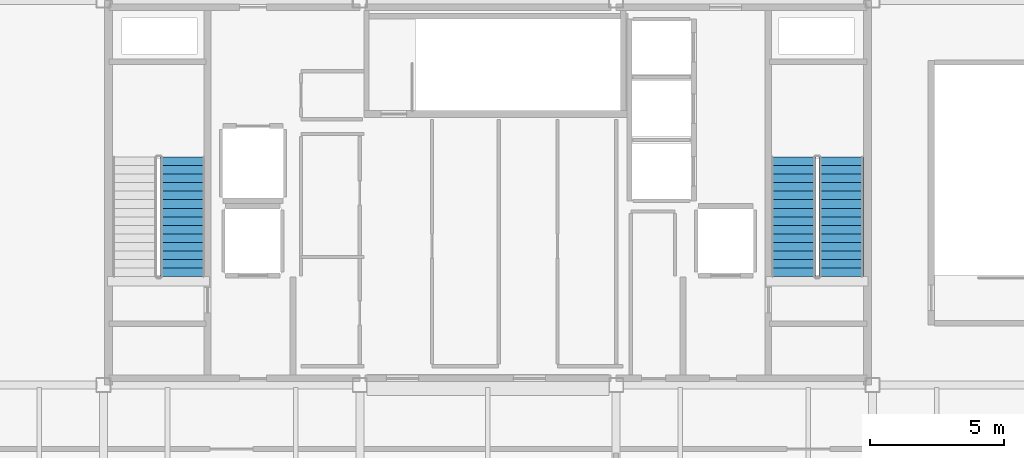
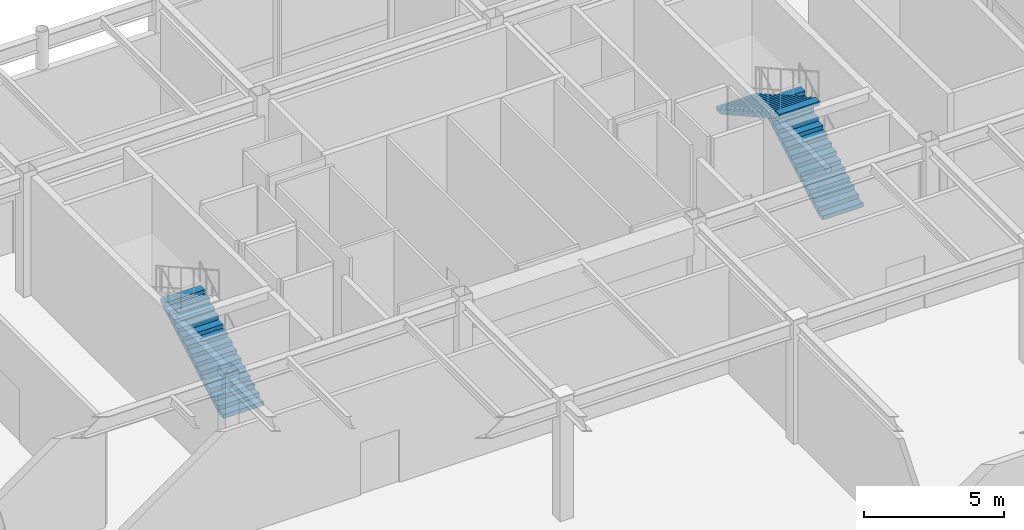
# One storey, part 19 of 21: 3 stair flights, 2 elements without a shape of their own.
"""IFC4 building model written with IfcOpenShell, lengths in metres."""

from ifc_helpers import new_model, si_unit, direction, frame, origin, place, context, subcontext, project, spatial, polyline, outline, extrude, material, type_object, element, aggregate, save


model = new_model("IFC4")

# Units and contexts
model_context = context("Model", 3, precision=1e-05, world=origin(), true_north=direction((0.0, 1.0)))
body_context = subcontext(model_context, "Body", "Model", "MODEL_VIEW")
ifc_project = project(units=[si_unit("LENGTHUNIT", "METRE"), si_unit("AREAUNIT", "SQUARE_METRE"), si_unit("VOLUMEUNIT", "CUBIC_METRE"), si_unit("PLANEANGLEUNIT", "RADIAN"), si_unit("MASSUNIT", "GRAM", prefix="KILO")], contexts=[model_context])

# Site, building, storey
site_placement = place(None, origin())
site = spatial("IfcSite", under=ifc_project, at=site_placement, CompositionType="ELEMENT")
building_placement = place(site_placement, origin())
building = spatial("IfcBuilding", under=site, at=building_placement, Name="Kallvorn Hotel Tower", CompositionType="ELEMENT")
storey_placement = place(building_placement, frame((0.0, 0.0, 300.60009765625)))
storey = spatial("IfcBuildingStorey", under=building, at=storey_placement, Name="L74", CompositionType="ELEMENT", Elevation=300.60009765625)

# Stair, stair flight
ifc_material_1 = material(Name="Precast concrete C40/50", Category="concrete")
stair_type = type_object("IfcStairType", Name="STR_CORE_DOGLEG", PredefinedType="HALF_TURN_STAIR", material=ifc_material_1)
stair_1_placement = place(storey_placement, origin())
stair_1 = element("IfcStair", 1, at=stair_1_placement, inside=storey, type_object=stair_type, Name="L74 Exit stair ST1", PredefinedType="HALF_TURN_STAIR")
ifc_material_2 = material(Name="Precast concrete C40/50", Category="concrete")
stair_flight_type = type_object("IfcStairFlightType", Name="FLT_CORE_1660", PredefinedType="STRAIGHT", material=ifc_material_2)
stair_flight_1_placement = place(storey_placement, frame((-11.429931640625, -3.139892578125, 0.0), z_axis=(0.0, 0.0, 1.0), x_axis=(0.0, 1.0, 0.0)))
stair_flight_1 = element("IfcStairFlight", 2, at=stair_flight_1_placement, type_object=stair_flight_type, Name="ST1 flight 1", NumberOfRisers=15, NumberOfTreads=14, PredefinedType="STRAIGHT", RiserHeight=0.18, TreadLength=0.32, context=body_context, shape_type="SweptSolid", body=[
    extrude(outline(polyline([(0.0, 0.0), (0.0, 0.179931640625), (0.320068359375, 0.179931640625), (0.320068359375, 0.360107421875), (0.639892578125, 0.360107421875), (0.639892578125, 0.5400390625), (0.9599609375, 0.5400390625), (0.9599609375, 0.719970703125), (1.280029296875, 0.719970703125), (1.280029296875, 0.89990234375), (1.60009765625, 0.89990234375), (1.60009765625, 1.080078125), (1.919921875, 1.080078125), (1.919921875, 1.260009765625), (2.239990234375, 1.260009765625), (2.239990234375, 1.43994140625), (2.56005859375, 1.43994140625), (2.56005859375, 1.6201171875), (2.8798828125, 1.6201171875), (2.8798828125, 1.800048828125), (3.199951171875, 1.800048828125), (3.199951171875, 1.97998046875), (3.52001953125, 1.97998046875), (3.52001953125, 2.159912109375), (3.840087890625, 2.159912109375), (3.840087890625, 2.340087890625), (4.159912109375, 2.340087890625), (4.159912109375, 2.52001953125), (4.47998046875, 2.52001953125), (4.47998046875, 2.699951171875), (4.47998046875, 2.347900390625), (0.3056640625, 0.0), (0.0, 0.0)])), frame((0.0, 0.830078125, 0.0), z_axis=(0.0, -1.0, 0.0), x_axis=(1.0, 0.0, 0.0)), (0.0, 0.0, 1.0), 1.659912109375),
])
aggregate(stair_1, [stair_flight_1])

# Stair, stair flights
stair_2_placement = place(storey_placement, origin())
stair_2 = element("IfcStair", 3, at=stair_2_placement, inside=storey, type_object=stair_type, Name="L74 Exit stair ST2", PredefinedType="HALF_TURN_STAIR")
stair_flight_2_placement = place(storey_placement, frame((13.22998046875, -3.139892578125, 0.0), z_axis=(0.0, 0.0, 1.0), x_axis=(0.0, 1.0, 0.0)))
stair_flight_2 = element("IfcStairFlight", 4, at=stair_flight_2_placement, type_object=stair_flight_type, Name="ST2 flight 1", NumberOfRisers=15, NumberOfTreads=14, PredefinedType="STRAIGHT", RiserHeight=0.18, TreadLength=0.32, context=body_context, shape_type="SweptSolid", body=[
    extrude(outline(polyline([(0.0, 0.0), (0.0, 0.179931640625), (0.320068359375, 0.179931640625), (0.320068359375, 0.360107421875), (0.639892578125, 0.360107421875), (0.639892578125, 0.5400390625), (0.9599609375, 0.5400390625), (0.9599609375, 0.719970703125), (1.280029296875, 0.719970703125), (1.280029296875, 0.89990234375), (1.60009765625, 0.89990234375), (1.60009765625, 1.080078125), (1.919921875, 1.080078125), (1.919921875, 1.260009765625), (2.239990234375, 1.260009765625), (2.239990234375, 1.43994140625), (2.56005859375, 1.43994140625), (2.56005859375, 1.6201171875), (2.8798828125, 1.6201171875), (2.8798828125, 1.800048828125), (3.199951171875, 1.800048828125), (3.199951171875, 1.97998046875), (3.52001953125, 1.97998046875), (3.52001953125, 2.159912109375), (3.840087890625, 2.159912109375), (3.840087890625, 2.340087890625), (4.159912109375, 2.340087890625), (4.159912109375, 2.52001953125), (4.47998046875, 2.52001953125), (4.47998046875, 2.699951171875), (4.47998046875, 2.347900390625), (0.3056640625, 0.0), (0.0, 0.0)])), frame((0.0, 0.830078125, 0.0), z_axis=(0.0, -1.0, 0.0), x_axis=(1.0, 0.0, 0.0)), (0.0, 0.0, 1.0), 1.659912109375),
])
stair_flight_3_placement = place(storey_placement, frame((11.429931640625, 1.340087890625, 2.699951171875), z_axis=(0.0, 0.0, 1.0), x_axis=(0.0, -1.0, 0.0)))
stair_flight_3 = element("IfcStairFlight", 5, at=stair_flight_3_placement, type_object=stair_flight_type, Name="ST2 flight 2", NumberOfRisers=15, NumberOfTreads=14, PredefinedType="STRAIGHT", RiserHeight=0.18, TreadLength=0.32, context=body_context, shape_type="SweptSolid", body=[
    extrude(outline(polyline([(0.0, 0.0), (0.0, 0.179931640625), (0.320068359375, 0.179931640625), (0.320068359375, 0.360107421875), (0.639892578125, 0.360107421875), (0.639892578125, 0.5400390625), (0.9599609375, 0.5400390625), (0.9599609375, 0.719970703125), (1.280029296875, 0.719970703125), (1.280029296875, 0.89990234375), (1.60009765625, 0.89990234375), (1.60009765625, 1.080078125), (1.919921875, 1.080078125), (1.919921875, 1.260009765625), (2.239990234375, 1.260009765625), (2.239990234375, 1.43994140625), (2.56005859375, 1.43994140625), (2.56005859375, 1.6201171875), (2.8798828125, 1.6201171875), (2.8798828125, 1.800048828125), (3.199951171875, 1.800048828125), (3.199951171875, 1.97998046875), (3.52001953125, 1.97998046875), (3.52001953125, 2.159912109375), (3.840087890625, 2.159912109375), (3.840087890625, 2.340087890625), (4.159912109375, 2.340087890625), (4.159912109375, 2.52001953125), (4.47998046875, 2.52001953125), (4.47998046875, 2.699951171875), (4.47998046875, 2.347900390625), (0.3056640625, 0.0), (0.0, 0.0)])), frame((0.0, 0.830078125, 0.0), z_axis=(0.0, -1.0, 0.0), x_axis=(1.0, 0.0, 0.0)), (0.0, 0.0, 1.0), 1.659912109375),
])
aggregate(stair_2, [stair_flight_2, stair_flight_3])

save(model, "model.ifc")
